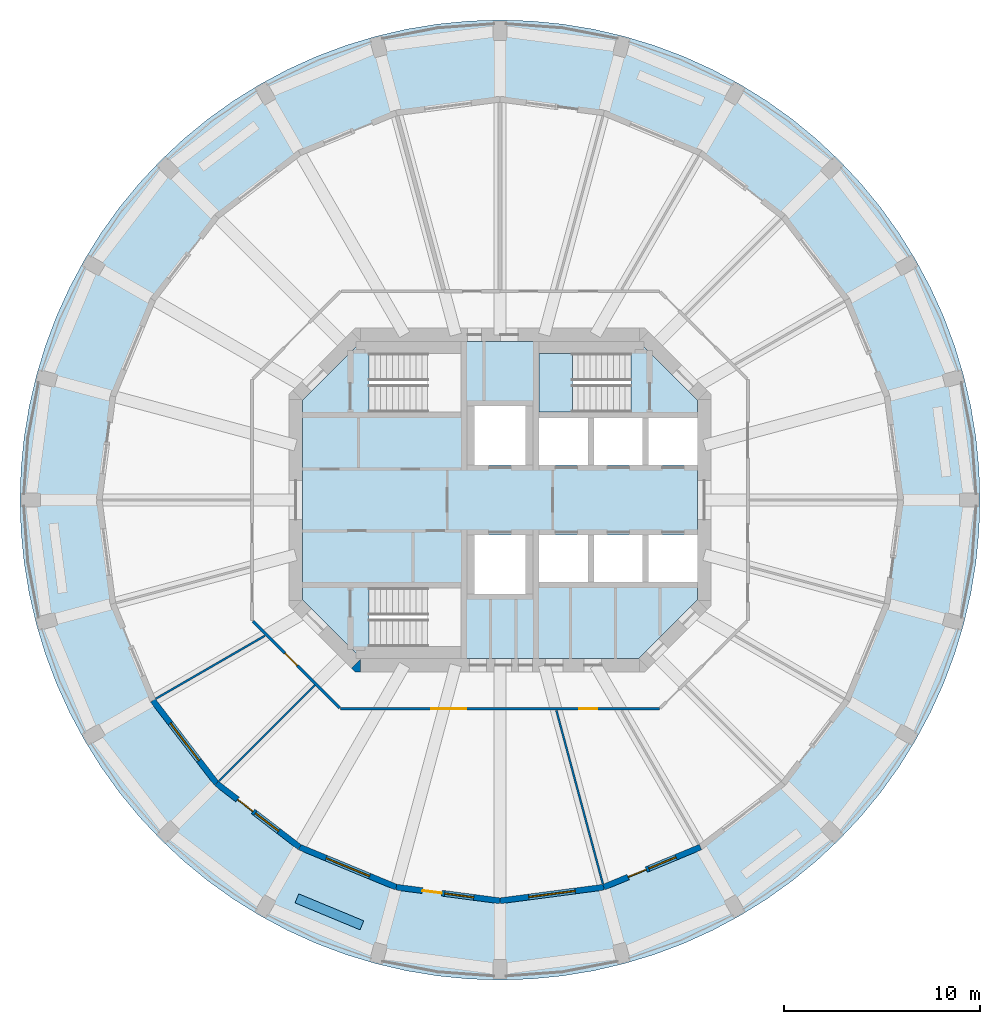
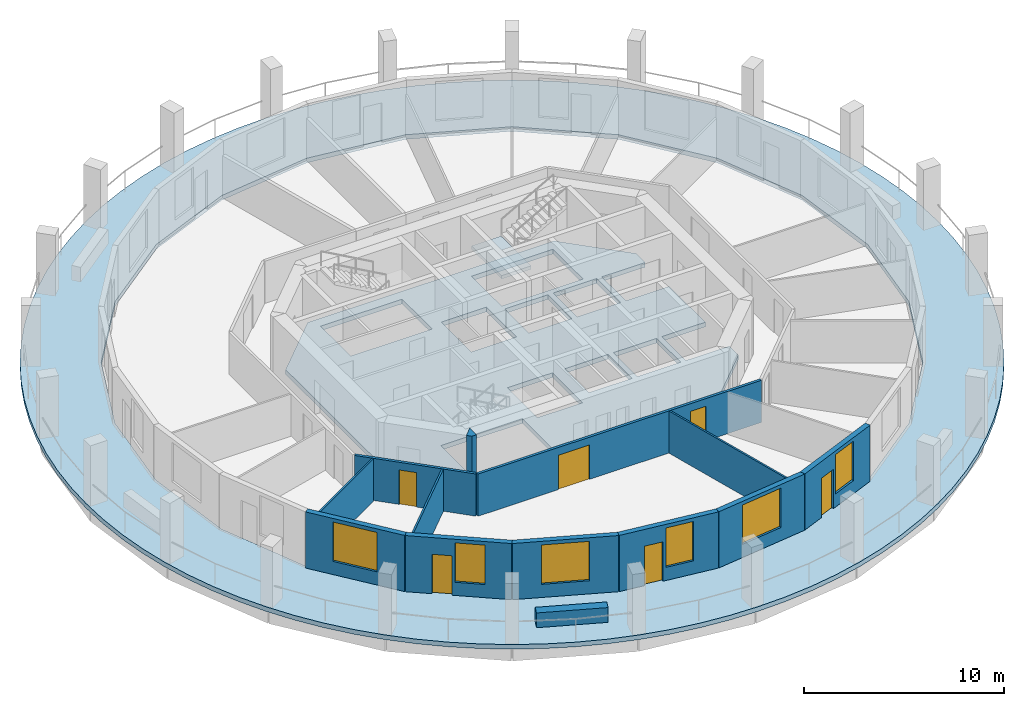
# One storey, part 2 of 9: 13 walls, 6 doors, 6 windows, 3 slabs, 12 openings, 1 element without a shape of its own.
"""IFC4 building model written with IfcOpenShell, lengths in metres."""

import ifcopenshell
import ifcopenshell.guid

model = None  # the IFC model being written
_history = None  # IfcOwnerHistory: only IFC2X3 demands one
_inside = {}  # id of a spatial element -> (the spatial element, [elements in it])
_under = {}  # id of a project, library or spatial element -> (it, [spatial elements below it])
_declared = {}  # id of a project -> (the project, [libraries it declares])
_typed = {}  # id of a type object -> (the type object, [elements of that type])
_made_of = {}  # id of a material, layer set ... -> (it, [elements and type objects made of it])


def new_model(schema):
    """Start an empty IFC model of exactly this schema.

    Asked for "IFC4X3", IfcOpenShell would pick the latest addendum, in which some entities
    have other attributes; the version numbers below select the first issue.
    IFC2X3 requires an IfcOwnerHistory on every rooted entity: one is made here for all.
    """
    global model, _history
    if schema == "IFC4X3":
        model = ifcopenshell.file(schema_version=(4, 3, 0, 0))
    else:
        model = ifcopenshell.file(schema=schema)
    _inside.clear()
    _under.clear()
    _declared.clear()
    _typed.clear()
    _made_of.clear()
    _history = None
    if model.schema == "IFC2X3":
        org = make("IfcOrganization", Name="unknown")
        user = make(
            "IfcPersonAndOrganization",
            ThePerson=make("IfcPerson", FamilyName="unknown"),
            TheOrganization=org,
        )
        app = make(
            "IfcApplication",
            ApplicationDeveloper=org,
            Version="unknown",
            ApplicationFullName="unknown",
            ApplicationIdentifier="unknown",
        )
        _history = make(
            "IfcOwnerHistory",
            OwningUser=user,
            OwningApplication=app,
            ChangeAction="ADDED",
            CreationDate=0,
        )
    return model


def make(cls, **values):
    """One entity of the class cls with the attributes given. An attribute that is None is left unset."""
    return model.create_entity(
        cls, **{name: value for name, value in values.items() if value is not None}
    )


def rooted(cls, **values):
    """An entity with a GlobalId (a new one), such as an element, a storey or a relation."""
    return make(cls, GlobalId=ifcopenshell.guid.new(), OwnerHistory=_history, **values)


def si_unit(unit_type, name, prefix=None):
    """IfcSIUnit, for example si_unit("LENGTHUNIT", "METRE", prefix="MILLI")."""
    return make("IfcSIUnit", UnitType=unit_type, Prefix=prefix, Name=name)


def assignment(units):
    """IfcUnitAssignment: the units of a project."""
    return None if units is None else make("IfcUnitAssignment", Units=units)


def point(xyz):
    """IfcCartesianPoint."""
    return None if xyz is None else make("IfcCartesianPoint", Coordinates=xyz)


def direction(xyz):
    """IfcDirection."""
    return None if xyz is None else make("IfcDirection", DirectionRatios=xyz)


def frame(location, z_axis=None, x_axis=None):
    """IfcAxis2Placement3D, a coordinate frame: its origin and axes. An axis left out is left unset."""
    return make(
        "IfcAxis2Placement3D",
        Location=point(location),
        Axis=direction(z_axis),
        RefDirection=direction(x_axis),
    )


def frame_2d(location, x_axis=None):
    """IfcAxis2Placement2D, a coordinate frame in the plane: its origin and x axis."""
    return make(
        "IfcAxis2Placement2D", Location=point(location), RefDirection=direction(x_axis)
    )


def origin():
    """The frame at (0, 0, 0) with its axes left unset."""
    return frame((0.0, 0.0, 0.0))


def place(relative_to, where):
    """IfcLocalPlacement: puts the frame where relative to a parent placement (None: the world)."""
    return make(
        "IfcLocalPlacement", PlacementRelTo=relative_to, RelativePlacement=where
    )


def context(
    kind, dimensions, precision=None, world=None, true_north=None, identifier=None
):
    """IfcGeometricRepresentationContext, for example the 3D "Model" context."""
    return make(
        "IfcGeometricRepresentationContext",
        ContextIdentifier=identifier,
        ContextType=kind,
        CoordinateSpaceDimension=dimensions,
        Precision=precision,
        WorldCoordinateSystem=world,
        TrueNorth=true_north,
    )


def subcontext(parent, identifier, kind, view, scale=None):
    """IfcGeometricRepresentationSubContext, for example "Body" below "Model"."""
    return make(
        "IfcGeometricRepresentationSubContext",
        ContextIdentifier=identifier,
        ContextType=kind,
        ParentContext=parent,
        TargetScale=scale,
        TargetView=view,
    )


def project(units=None, contexts=None):
    """IfcProject with its units and contexts."""
    return rooted(
        "IfcProject",
        Name="project",
        RepresentationContexts=contexts,
        UnitsInContext=assignment(units),
    )


def spatial(cls, under=None, at=None, **own):
    """A site, building, storey or space (cls), placed at a placement, below another one or the project."""
    s = rooted(cls, ObjectPlacement=at, **own)
    if under is not None:
        _under.setdefault(under.id(), (under, []))[1].append(s)
    return s


def polyline(points):
    """IfcPolyline through the points."""
    return make("IfcPolyline", Points=[point(p) for p in points])


def profile(cls, at=None, kind="AREA", **sizes):
    """A parametric profile (cls). Its sizes go by their IFC names, for example OverallWidth=200.0."""
    return make(cls, ProfileType=kind, Position=at, **sizes)


def rectangle(**sizes):
    """IfcRectangleProfileDef."""
    return profile("IfcRectangleProfileDef", **sizes)


def outline(outer, holes=None, kind="AREA"):
    """IfcArbitraryClosedProfileDef: a profile drawn as a closed curve; with holes, ...WithVoids."""
    if holes is None:
        return make("IfcArbitraryClosedProfileDef", ProfileType=kind, OuterCurve=outer)
    return make(
        "IfcArbitraryProfileDefWithVoids",
        ProfileType=kind,
        OuterCurve=outer,
        InnerCurves=holes,
    )


def extrude(swept, where, along, depth):
    """IfcExtrudedAreaSolid: the profile swept, set in the frame where, extruded along a direction by depth."""
    return make(
        "IfcExtrudedAreaSolid",
        SweptArea=swept,
        Position=where,
        ExtrudedDirection=direction(along),
        Depth=depth,
    )


def shape(context_of_items, identifier, shape_type, items):
    """IfcShapeRepresentation: the items that make up one representation, for example the "Body"."""
    return make(
        "IfcShapeRepresentation",
        ContextOfItems=context_of_items,
        RepresentationIdentifier=identifier,
        RepresentationType=shape_type,
        Items=items,
    )


def material(Name=None, Category=None):
    """IfcMaterial."""
    return make("IfcMaterial", Name=Name, Category=Category)


def layer(
    of_material, thickness, ventilated=None, Name=None, Category=None, Priority=None
):
    """IfcMaterialLayer: one layer of a wall or slab, of a material (None: an air gap)."""
    return make(
        "IfcMaterialLayer",
        Material=of_material,
        LayerThickness=thickness,
        IsVentilated=ventilated,
        Name=Name,
        Category=Category,
        Priority=Priority,
    )


def layer_set(layers, Name=None):
    """IfcMaterialLayerSet."""
    return make("IfcMaterialLayerSet", MaterialLayers=layers, LayerSetName=Name)


def made_of(thing, what):
    """Note that an element or type object is made of a material, layer set ...; save() writes the relation."""
    if what is not None:
        _made_of.setdefault(what.id(), (what, []))[1].append(thing)
    return thing


def type_object(cls, material=None, **own):
    """A type object (cls), such as IfcWallType, which elements share."""
    return made_of(rooted(cls, **own), material)


def element(
    cls,
    number,
    at=None,
    inside=None,
    cuts=None,
    type_object=None,
    material=None,
    context=None,
    identifier="Body",
    shape_type=None,
    held_by="IfcProductDefinitionShape",
    body=None,
    shapes=None,
    **own,
):
    """One element of the class cls, such as IfcWall. Its Tag is "e" and its number.

    at: its placement. inside: the storey or other place that contains it. cuts: it is an
    opening in that element (IfcRelVoidsElement). A single representation is given by context,
    identifier, shape_type and body (its items); several are given by shapes. held_by: the class
    of the entity that holds the representations. save() writes the other relations.
    """
    e = rooted(cls, Tag="e%d" % number, ObjectPlacement=at, **own)
    if body is not None:
        shapes = [shape(context, identifier, shape_type, body)]
    if shapes is not None:
        e.Representation = make(held_by, Representations=shapes)
    if inside is not None:
        _inside.setdefault(inside.id(), (inside, []))[1].append(e)
    if cuts is not None:
        rooted(
            "IfcRelVoidsElement", RelatingBuildingElement=cuts, RelatedOpeningElement=e
        )
    if type_object is not None:
        _typed.setdefault(type_object.id(), (type_object, []))[1].append(e)
    return made_of(e, material)


def fill(opening, filler):
    """IfcRelFillsElement: the door or window that sits in an opening."""
    return rooted(
        "IfcRelFillsElement",
        RelatingOpeningElement=opening,
        RelatedBuildingElement=filler,
    )


def aggregate(whole, parts):
    """IfcRelAggregates: a whole, such as a stair, and the parts it consists of."""
    return rooted("IfcRelAggregates", RelatingObject=whole, RelatedObjects=parts)


def save(model, path):
    """Write the relations noted so far, then the file.

    IfcRelAggregates (storeys below a building ...), IfcRelContainedInSpatialStructure (elements
    in a storey), IfcRelDefinesByType, IfcRelAssociatesMaterial and IfcRelDeclares: one each for
    every whole, place, type object, material and project.
    """
    for whole, parts in _under.values():
        aggregate(whole, parts)
    for where, things in _inside.values():
        rooted(
            "IfcRelContainedInSpatialStructure",
            RelatedElements=things,
            RelatingStructure=where,
        )
    for kind, things in _typed.values():
        rooted("IfcRelDefinesByType", RelatedObjects=things, RelatingType=kind)
    for what, things in _made_of.values():
        rooted("IfcRelAssociatesMaterial", RelatedObjects=things, RelatingMaterial=what)
    for by, libraries in _declared.values():
        rooted("IfcRelDeclares", RelatingContext=by, RelatedDefinitions=libraries)
    model.write(path)


model = new_model("IFC4")

# Units and contexts
model_context = context("Model", 3, precision=1e-05, world=origin(), true_north=direction((0.0, 1.0)))
body_context = subcontext(model_context, "Body", "Model", "MODEL_VIEW")
ifc_project = project(units=[si_unit("LENGTHUNIT", "METRE"), si_unit("AREAUNIT", "SQUARE_METRE"), si_unit("VOLUMEUNIT", "CUBIC_METRE"), si_unit("PLANEANGLEUNIT", "RADIAN"), si_unit("MASSUNIT", "GRAM", prefix="KILO")], contexts=[model_context])

# Site, building, storey
site_placement = place(None, origin())
site = spatial("IfcSite", under=ifc_project, at=site_placement, CompositionType="ELEMENT")
building_placement = place(site_placement, origin())
building = spatial("IfcBuilding", under=site, at=building_placement, Name="Torre Triforio", CompositionType="ELEMENT")
storey_placement = place(building_placement, frame((0.0, 0.0, 226.10009765625)))
storey = spatial("IfcBuildingStorey", under=building, at=storey_placement, Name="L51", CompositionType="ELEMENT", Elevation=226.10009765625)

# Slabs
ifc_material_1 = material(Name="Concrete C50", Category="concrete")
ifc_layer_1 = layer(ifc_material_1, 0.280029296875)
ifc_layer_set_1 = layer_set([ifc_layer_1], Name="Concrete C50")
slab_type_1 = type_object("IfcSlabType", Name="Core floor slab 280 mm C50 REI 120", PredefinedType="FLOOR", material=ifc_layer_set_1)
slab_1_placement = place(storey_placement, frame((0.0, 0.0, -0.280029296875)))
element("IfcSlab", 1, at=slab_1_placement, inside=storey, type_object=slab_type_1, Name="Core floor slab", PredefinedType="FLOOR", context=body_context, shape_type="SweptSolid", body=[
    extrude(outline(polyline([(10.10009765625, -5.10009765625), (7.10009765625, -8.10009765625), (-7.10009765625, -8.10009765625), (-10.10009765625, -5.10009765625), (-10.10009765625, 5.10009765625), (-7.10009765625, 8.10009765625), (7.10009765625, 8.10009765625), (10.10009765625, 5.10009765625), (10.10009765625, 4.199951171875), (7.60009765625, 4.199951171875), (7.60009765625, 1.800048828125), (10.10009765625, 1.800048828125), (10.10009765625, -1.800048828125), (7.60009765625, -1.800048828125), (7.60009765625, -4.199951171875), (10.10009765625, -4.199951171875), (10.10009765625, -5.10009765625)]), holes=[polyline([(-6.696044921875, -4.5), (-6.696044921875, -7.5), (-2.0, -7.5), (-2.0, -4.5), (-6.696044921875, -4.5)]), polyline([(-1.300048828125, -1.800048828125), (-1.300048828125, -4.800048828125), (1.300048828125, -4.800048828125), (1.300048828125, -1.800048828125), (-1.300048828125, -1.800048828125)]), polyline([(2.0, -1.800048828125), (2.0, -4.199951171875), (4.5, -4.199951171875), (4.5, -1.800048828125), (2.0, -1.800048828125)]), polyline([(4.5, 4.199951171875), (2.0, 4.199951171875), (2.0, 1.800048828125), (4.5, 1.800048828125), (4.5, 4.199951171875)]), polyline([(1.300048828125, 4.800048828125), (-1.300048828125, 4.800048828125), (-1.300048828125, 1.800048828125), (1.300048828125, 1.800048828125), (1.300048828125, 4.800048828125)]), polyline([(-6.696044921875, 7.5), (-6.696044921875, 4.5), (-2.0, 4.5), (-2.0, 7.5), (-6.696044921875, 7.5)]), polyline([(7.300048828125, -1.800048828125), (4.800048828125, -1.800048828125), (4.800048828125, -4.199951171875), (7.300048828125, -4.199951171875), (7.300048828125, -1.800048828125)]), polyline([(4.800048828125, 4.199951171875), (4.800048828125, 1.800048828125), (7.300048828125, 1.800048828125), (7.300048828125, 4.199951171875), (4.800048828125, 4.199951171875)]), polyline([(6.696044921875, 7.5), (2.0, 7.5), (2.0, 4.5), (6.696044921875, 4.5), (6.696044921875, 7.5)])]), origin(), (0.0, 0.0, 1.0), 0.280029296875),
])
ifc_material_2 = material(Name="Concrete C40", Category="concrete")
ifc_layer_2 = layer(ifc_material_2, 0.280029296875)
ifc_layer_set_2 = layer_set([ifc_layer_2], Name="Concrete C40")
slab_type_2 = type_object("IfcSlabType", Name="Loggia slab 280 C40", PredefinedType="FLOOR", material=ifc_layer_set_2)
slab_2_placement = place(storey_placement, frame((0.0, 0.0, -0.280029296875)))
element("IfcSlab", 2, at=slab_2_placement, inside=storey, type_object=slab_type_2, Name="SL.L51.LG", PredefinedType="FLOOR", context=body_context, shape_type="SweptSolid", body=[
    extrude(outline(polyline([(24.49755859375, -1.605712890625), (24.550048828125, 0.0), (24.49755859375, 1.605712890625), (24.340087890625, 3.204345703125), (24.078369140625, 4.78955078125), (23.71337890625, 6.35400390625), (23.2470703125, 7.891357421875), (22.68115234375, 9.394775390625), (22.018310546875, 10.858154296875), (21.260986328125, 12.27490234375), (20.41259765625, 13.63916015625), (19.476806640625, 14.945068359375), (18.457763671875, 16.18701171875), (17.359375, 17.359375), (16.18701171875, 18.457763671875), (14.945068359375, 19.476806640625), (13.63916015625, 20.41259765625), (12.27490234375, 21.260986328125), (10.858154296875, 22.018310546875), (9.394775390625, 22.68115234375), (7.891357421875, 23.2470703125), (6.35400390625, 23.71337890625), (4.78955078125, 24.078369140625), (3.204345703125, 24.340087890625), (1.605712890625, 24.49755859375), (0.0, 24.550048828125), (-1.605712890625, 24.49755859375), (-3.204345703125, 24.340087890625), (-4.78955078125, 24.078369140625), (-6.35400390625, 23.71337890625), (-7.891357421875, 23.2470703125), (-9.394775390625, 22.68115234375), (-10.858154296875, 22.018310546875), (-12.27490234375, 21.260986328125), (-13.63916015625, 20.41259765625), (-14.945068359375, 19.476806640625), (-16.18701171875, 18.457763671875), (-17.359375, 17.359375), (-18.457763671875, 16.18701171875), (-19.476806640625, 14.945068359375), (-20.41259765625, 13.63916015625), (-21.260986328125, 12.27490234375), (-22.018310546875, 10.858154296875), (-22.68115234375, 9.394775390625), (-23.2470703125, 7.891357421875), (-23.71337890625, 6.35400390625), (-24.078369140625, 4.78955078125), (-24.340087890625, 3.204345703125), (-24.49755859375, 1.605712890625), (-24.550048828125, 0.0), (-24.49755859375, -1.605712890625), (-24.340087890625, -3.204345703125), (-24.078369140625, -4.78955078125), (-23.71337890625, -6.35400390625), (-23.2470703125, -7.891357421875), (-22.68115234375, -9.394775390625), (-22.018310546875, -10.858154296875), (-21.260986328125, -12.27490234375), (-20.41259765625, -13.63916015625), (-19.476806640625, -14.945068359375), (-18.457763671875, -16.18701171875), (-17.359375, -17.359375), (-16.18701171875, -18.457763671875), (-14.945068359375, -19.476806640625), (-13.63916015625, -20.41259765625), (-12.27490234375, -21.260986328125), (-10.858154296875, -22.018310546875), (-9.394775390625, -22.68115234375), (-7.891357421875, -23.2470703125), (-6.35400390625, -23.71337890625), (-4.78955078125, -24.078369140625), (-3.204345703125, -24.340087890625), (-1.605712890625, -24.49755859375), (0.0, -24.550048828125), (1.605712890625, -24.49755859375), (3.204345703125, -24.340087890625), (4.78955078125, -24.078369140625), (6.35400390625, -23.71337890625), (7.891357421875, -23.2470703125), (9.394775390625, -22.68115234375), (10.858154296875, -22.018310546875), (12.27490234375, -21.260986328125), (13.63916015625, -20.41259765625), (14.945068359375, -19.476806640625), (16.18701171875, -18.457763671875), (17.359375, -17.359375), (18.457763671875, -16.18701171875), (19.476806640625, -14.945068359375), (20.41259765625, -13.63916015625), (21.260986328125, -12.27490234375), (22.018310546875, -10.858154296875), (22.68115234375, -9.394775390625), (23.2470703125, -7.891357421875), (23.71337890625, -6.35400390625), (24.078369140625, -4.78955078125), (24.340087890625, -3.204345703125), (24.49755859375, -1.605712890625)]), holes=[polyline([(19.801513671875, 5.305908203125), (20.5, 0.0), (19.801513671875, -5.305908203125), (17.75341796875, -10.25), (14.49560546875, -14.49560546875), (10.25, -17.75341796875), (5.305908203125, -19.801513671875), (0.0, -20.5), (-5.305908203125, -19.801513671875), (-10.25, -17.75341796875), (-14.49560546875, -14.49560546875), (-17.75341796875, -10.25), (-19.801513671875, -5.305908203125), (-20.5, 0.0), (-19.801513671875, 5.305908203125), (-17.75341796875, 10.25), (-14.49560546875, 14.49560546875), (-10.25, 17.75341796875), (-5.305908203125, 19.801513671875), (0.0, 20.5), (5.305908203125, 19.801513671875), (10.25, 17.75341796875), (14.49560546875, 14.49560546875), (17.75341796875, 10.25), (19.801513671875, 5.305908203125)])]), origin(), (0.0, 0.0, 1.0), 0.280029296875),
])

# Stair, slab
stair_type = type_object("IfcStairType", Name="STAIR HALF-TURN", PredefinedType="HALF_TURN_STAIR", material=ifc_material_2)
stair_placement = place(storey_placement, origin())
stair = element("IfcStair", 3, at=stair_placement, inside=storey, type_object=stair_type, Name="Exit stair 2", PredefinedType="HALF_TURN_STAIR")
ifc_layer_3 = layer(ifc_material_2, 0.199951171875)
ifc_layer_set_3 = layer_set([ifc_layer_3], Name="Concrete C40")
slab_type_3 = type_object("IfcSlabType", Name="STAIR LANDING 200", PredefinedType="LANDING", material=ifc_layer_set_3)
slab_3_placement = place(storey_placement, frame((0.0, 0.0, 1.64990234375)))
slab_3 = element("IfcSlab", 4, at=slab_3_placement, type_object=slab_type_3, Name="ST2 landing 1", PredefinedType="LANDING", context=body_context, shape_type="SweptSolid", body=[
    extrude(outline(polyline([(3.699951171875, 4.5), (3.699951171875, 7.5), (2.0, 7.5), (2.0, 4.5), (3.699951171875, 4.5)])), origin(), (0.0, 0.0, 1.0), 0.199951171875),
])
aggregate(stair, [slab_3])

# Wall
ifc_layer_4 = layer(ifc_material_1, 0.699951171875)
ifc_layer_set_4 = layer_set([ifc_layer_4], Name="Concrete C50")
wall_type_1 = type_object("IfcWallType", Name="Core wall 700 mm C50 EI 120", PredefinedType="SHEAR", material=ifc_layer_set_4)
wall_1_placement = place(storey_placement, frame((0.0, 0.0, -0.280029296875)))
element("IfcWall", 5, at=wall_1_placement, inside=storey, type_object=wall_type_1, Name="Core wall", PredefinedType="SHEAR", context=body_context, shape_type="SweptSolid", body=[
    extrude(outline(polyline([(-7.389892578125, -8.800048828125), (-7.594970703125, -8.594970703125), (-7.594970703125, -8.594970703125), (-7.594970703125, -8.594970703125), (-7.1298828125, -8.1298828125), (-7.1298828125, -8.800048828125), (-7.1298828125, -8.800048828125), (-7.389892578125, -8.800048828125)])), origin(), (0.0, 0.0, 1.0), 3.699951171875),
])

# Wall, openings, doors
ifc_material_3 = material(Name="Plasterboard on metal studs")
ifc_layer_5 = layer(ifc_material_3, 0.14990234375)
ifc_layer_set_5 = layer_set([ifc_layer_5], Name="Plasterboard on metal studs")
wall_type_2 = type_object("IfcWallType", Name="Corridor and tenancy wall 150 mm EI 60", PredefinedType="PARTITIONING", material=ifc_layer_set_5)
wall_2_placement = place(storey_placement, frame((8.16650390625, -10.675048828125, 0.0), z_axis=(0.0, 0.0, 1.0), x_axis=(-1.0, 0.0, 0.0)))
wall_2 = element("IfcWall", 6, at=wall_2_placement, inside=storey, type_object=wall_type_2, Name="Partition 2", PredefinedType="PARTITIONING", context=body_context, shape_type="SweptSolid", body=[
    extrude(rectangle(XDim=16.3330078125, YDim=0.14990234375, at=frame_2d((8.16650390625, 0.0))), origin(), (0.0, 0.0, 1.0), 2.56982421875),
])
opening_1_placement = place(wall_2_placement, frame((9.893798828125, 0.0, 0.0)))
opening_1 = element("IfcOpeningElement", 7, at=opening_1_placement, cuts=wall_2, Name="Opening O7-05", PredefinedType="OPENING", context=body_context, shape_type="SweptSolid", body=[
    extrude(rectangle(XDim=1.800048828125, YDim=2.10009765625, at=frame_2d((0.89990234375, 1.050048828125))), frame((0.0, 0.0849609375, 0.0), z_axis=(0.0, -1.0, 0.0), x_axis=(1.0, 0.0, 0.0)), (0.0, 0.0, 1.0), 0.169921875),
])
opening_2_placement = place(wall_2_placement, frame((3.200927734375, 0.0, 0.0)))
opening_2 = element("IfcOpeningElement", 8, at=opening_2_placement, cuts=wall_2, Name="Opening O7-06", PredefinedType="OPENING", context=body_context, shape_type="SweptSolid", body=[
    extrude(rectangle(XDim=0.89990234375, YDim=2.10009765625, at=frame_2d((0.449951171875, 1.050048828125))), frame((0.0, 0.0849609375, 0.0), z_axis=(0.0, -1.0, 0.0), x_axis=(1.0, 0.0, 0.0)), (0.0, 0.0, 1.0), 0.169921875),
])
ifc_material_4 = material(Name="Timber", Category="wood")
door_type_1 = type_object("IfcDoorType", Name="Door 1800 x 2100 double leaf EI 30", OperationType="DOUBLE_DOOR_SINGLE_SWING", PredefinedType="DOOR", material=ifc_material_4)
door_1_placement = place(opening_1_placement, origin())
door_1 = element("IfcDoor", 9, at=door_1_placement, inside=storey, type_object=door_type_1, Name="Door O7-05", OperationType="DOUBLE_DOOR_SINGLE_SWING", OverallHeight=2.10009765625, OverallWidth=1.800048828125, PredefinedType="DOOR", context=body_context, shape_type="SweptSolid", body=[
    extrude(rectangle(XDim=1.800048828125, YDim=2.10009765625, at=frame_2d((0.89990234375, 1.050048828125))), frame((0.0, 0.02490234375, 0.0), z_axis=(0.0, -1.0, 0.0), x_axis=(1.0, 0.0, 0.0)), (0.0, 0.0, 1.0), 0.050048828125),
])
fill(opening_1, door_1)
door_type_2 = type_object("IfcDoorType", Name="Door 900 x 2100 single leaf EI 30", OperationType="NOTDEFINED", PredefinedType="DOOR", material=ifc_material_4)
door_2_placement = place(opening_2_placement, origin())
door_2 = element("IfcDoor", 10, at=door_2_placement, inside=storey, type_object=door_type_2, Name="Door O7-06", OperationType="SINGLE_SWING_LEFT", OverallHeight=2.10009765625, OverallWidth=0.89990234375, PredefinedType="DOOR", context=body_context, shape_type="SweptSolid", body=[
    extrude(rectangle(XDim=0.89990234375, YDim=2.10009765625, at=frame_2d((0.449951171875, 1.050048828125))), frame((0.0, 0.02490234375, 0.0), z_axis=(0.0, -1.0, 0.0), x_axis=(1.0, 0.0, 0.0)), (0.0, 0.0, 1.0), 0.050048828125),
])
fill(opening_2, door_2)

# Wall, opening, door
wall_3_placement = place(storey_placement, frame((-8.20361328125, -10.637939453125, 0.0), z_axis=(0.0, 0.0, 1.0), x_axis=(-0.707106781187, 0.707106781187, 0.0)))
wall_3 = element("IfcWall", 11, at=wall_3_placement, inside=storey, type_object=wall_type_2, Name="Partition 3", PredefinedType="PARTITIONING", context=body_context, shape_type="SweptSolid", body=[
    extrude(rectangle(XDim=6.27099609375, YDim=0.14990234375, at=frame_2d((3.135498046875, 0.0))), origin(), (0.0, 0.0, 1.0), 2.56982421875),
])
opening_3_placement = place(wall_3_placement, frame((3.056884765625, 0.0, 0.0)))
opening_3 = element("IfcOpeningElement", 12, at=opening_3_placement, cuts=wall_3, Name="Opening O7-04", PredefinedType="OPENING", context=body_context, shape_type="SweptSolid", body=[
    extrude(rectangle(XDim=0.89990234375, YDim=2.10009765625, at=frame_2d((0.449951171875, 1.050048828125))), frame((0.0, 0.0849609375, 0.0), z_axis=(0.0, -1.0, 0.0), x_axis=(1.0, 0.0, 0.0)), (0.0, 0.0, 1.0), 0.169921875),
])
door_3_placement = place(opening_3_placement, origin())
door_3 = element("IfcDoor", 13, at=door_3_placement, inside=storey, type_object=door_type_2, Name="Door O7-04", OperationType="SINGLE_SWING_LEFT", OverallHeight=2.10009765625, OverallWidth=0.89990234375, PredefinedType="DOOR", context=body_context, shape_type="SweptSolid", body=[
    extrude(rectangle(XDim=0.89990234375, YDim=2.10009765625, at=frame_2d((0.449951171875, 1.050048828125))), frame((0.0, 0.02490234375, 0.0), z_axis=(0.0, -1.0, 0.0), x_axis=(1.0, 0.0, 0.0)), (0.0, 0.0, 1.0), 0.050048828125),
])
fill(opening_3, door_3)

# Walls
ifc_layer_6 = layer(ifc_material_3, 0.10009765625)
ifc_layer_set_6 = layer_set([ifc_layer_6], Name="Plasterboard on metal studs")
wall_type_3 = type_object("IfcWallType", Name="Partition 100 mm board on metal studs", PredefinedType="PARTITIONING", material=ifc_layer_set_6)
wall_4_placement = place(storey_placement, frame((-12.025146484375, -6.94287109375, 0.0), z_axis=(0.0, 0.0, 1.0), x_axis=(-0.866026773083, -0.499997628298, 0.0)))
element("IfcWall", 14, at=wall_4_placement, inside=storey, type_object=wall_type_3, Name="Partition 20", PredefinedType="PARTITIONING", context=body_context, shape_type="SweptSolid", body=[
    extrude(rectangle(XDim=6.451171875, YDim=0.10009765625, at=frame_2d((3.2255859375, 0.0))), origin(), (0.0, 0.0, 1.0), 2.56982421875),
])
wall_5_placement = place(storey_placement, frame((-9.473876953125, -9.473876953125, 0.0), z_axis=(0.0, 0.0, 1.0), x_axis=(-0.707106781187, -0.707106781187, 0.0)))
element("IfcWall", 15, at=wall_5_placement, inside=storey, type_object=wall_type_3, Name="Partition 21", PredefinedType="PARTITIONING", context=body_context, shape_type="SweptSolid", body=[
    extrude(rectangle(XDim=6.9384765625, YDim=0.10009765625, at=frame_2d((3.46923828125, 0.0))), origin(), (0.0, 0.0, 1.0), 2.56982421875),
])
wall_6_placement = place(storey_placement, frame((2.88427734375, -10.764404296875, 0.0), z_axis=(0.0, 0.0, 1.0), x_axis=(0.258811310764, -0.965927898666, 0.0)))
element("IfcWall", 16, at=wall_6_placement, inside=storey, type_object=wall_type_3, Name="Partition 22", PredefinedType="PARTITIONING", context=body_context, shape_type="SweptSolid", body=[
    extrude(rectangle(XDim=9.192626953125, YDim=0.10009765625, at=frame_2d((4.59619140625, 0.0))), origin(), (0.0, 0.0, 1.0), 2.56982421875),
])
ifc_material_5 = material(Name="Limestone cladding", Category="masonry")
ifc_layer_7 = layer(ifc_material_5, 0.10009765625)
ifc_layer_8 = layer(ifc_material_2, 0.39990234375)
ifc_layer_set_7 = layer_set([ifc_layer_7, ifc_layer_8], Name="Limestone cladding / Concrete C40")
wall_type_4 = type_object("IfcWallType", Name="Planter wall 500", PredefinedType="PARAPET", material=ifc_layer_set_7)
wall_7_placement = place(storey_placement, frame((-10.38818359375, -20.37548828125, 0.0), z_axis=(0.0, 0.0, 1.0), x_axis=(0.923851510231, -0.38275107713, 0.0)))
element("IfcWall", 17, at=wall_7_placement, inside=storey, type_object=wall_type_4, Name="Planter L51 bay 17", PredefinedType="PARAPET", context=body_context, shape_type="SweptSolid", body=[
    extrude(rectangle(XDim=3.60009765625, YDim=0.5, at=frame_2d((1.800048828125, 0.0))), origin(), (0.0, 0.0, 1.0), 0.89990234375),
])

# Wall, opening, window
ifc_layer_9 = layer(ifc_material_5, 0.10009765625)
ifc_layer_10 = layer(ifc_material_2, 0.199951171875)
ifc_layer_set_8 = layer_set([ifc_layer_9, ifc_layer_10], Name="Limestone cladding / Concrete C40")
wall_type_5 = type_object("IfcWallType", Name="Stone-faced composite wall 300", PredefinedType="STANDARD", material=ifc_layer_set_8)
wall_8_placement = place(storey_placement, frame((-17.75341796875, -10.25, 0.0), z_axis=(0.0, 0.0, 1.0), x_axis=(0.60876670321, -0.793349293227, 0.0)))
wall_8 = element("IfcWall", 18, at=wall_8_placement, inside=storey, type_object=wall_type_5, Name="External wall L51 bay 15", PredefinedType="STANDARD", context=body_context, shape_type="SweptSolid", body=[
    extrude(rectangle(XDim=5.3515625, YDim=0.300048828125, at=frame_2d((2.67578125, 0.0))), origin(), (0.0, 0.0, 1.0), 3.419921875),
])
opening_4_placement = place(wall_8_placement, frame((1.475830078125, 0.0, 0.800048828125)))
opening_4 = element("IfcOpeningElement", 19, at=opening_4_placement, cuts=wall_8, Name="Opening O7-W15", PredefinedType="OPENING", context=body_context, shape_type="SweptSolid", body=[
    extrude(rectangle(XDim=2.39990234375, YDim=2.39990234375, at=frame_2d((1.199951171875, 1.199951171875))), frame((0.0, 0.159912109375, 0.0), z_axis=(0.0, -1.0, 0.0), x_axis=(1.0, 0.0, 0.0)), (0.0, 0.0, 1.0), 0.320068359375),
])
ifc_material_6 = material(Name="Aluminium frame with clear double glazing", Category="aluminium")
window_type_1 = type_object("IfcWindowType", Name="Punched window 2400 x 2400", PartitioningType="DOUBLE_PANEL_VERTICAL", PredefinedType="WINDOW", material=ifc_material_6)
window_1_placement = place(opening_4_placement, origin())
window_1 = element("IfcWindow", 20, at=window_1_placement, inside=storey, type_object=window_type_1, Name="Window EWN4 L51 bay 15", OverallHeight=2.39990234375, OverallWidth=2.39990234375, PartitioningType="SINGLE_PANEL", PredefinedType="WINDOW", context=body_context, shape_type="SweptSolid", body=[
    extrude(rectangle(XDim=2.39990234375, YDim=2.39990234375, at=frame_2d((1.199951171875, 1.199951171875))), frame((0.0, 0.030029296875, 0.0), z_axis=(0.0, -1.0, 0.0), x_axis=(1.0, 0.0, 0.0)), (0.0, 0.0, 1.0), 0.06005859375),
])
fill(opening_4, window_1)

# Wall, openings, door, window
wall_9_placement = place(storey_placement, frame((-14.49560546875, -14.49560546875, 0.0), z_axis=(0.0, 0.0, 1.0), x_axis=(0.793349293227, -0.60876670321, 0.0)))
wall_9 = element("IfcWall", 21, at=wall_9_placement, inside=storey, type_object=wall_type_5, Name="External wall L51 bay 16", PredefinedType="STANDARD", context=body_context, shape_type="SweptSolid", body=[
    extrude(rectangle(XDim=5.3515625, YDim=0.300048828125, at=frame_2d((2.67578125, 0.0))), origin(), (0.0, 0.0, 1.0), 3.419921875),
])
opening_5_placement = place(wall_9_placement, frame((1.350830078125, 0.0, 0.0)))
opening_5 = element("IfcOpeningElement", 22, at=opening_5_placement, cuts=wall_9, Name="Opening O7-D16", PredefinedType="OPENING", context=body_context, shape_type="SweptSolid", body=[
    extrude(rectangle(XDim=1.0, YDim=2.39990234375, at=frame_2d((0.5, 1.199951171875))), frame((0.0, 0.159912109375, 0.0), z_axis=(0.0, -1.0, 0.0), x_axis=(1.0, 0.0, 0.0)), (0.0, 0.0, 1.0), 0.320068359375),
])
opening_6_placement = place(wall_9_placement, frame((2.500732421875, 0.0, 0.800048828125)))
opening_6 = element("IfcOpeningElement", 23, at=opening_6_placement, cuts=wall_9, Name="Opening O7-W16A", PredefinedType="OPENING", context=body_context, shape_type="SweptSolid", body=[
    extrude(rectangle(XDim=1.5, YDim=2.39990234375, at=frame_2d((0.75, 1.199951171875))), frame((0.0, 0.159912109375, 0.0), z_axis=(0.0, -1.0, 0.0), x_axis=(1.0, 0.0, 0.0)), (0.0, 0.0, 1.0), 0.320068359375),
])
door_type_3 = type_object("IfcDoorType", Name="Loggia door 1000 x 2400", OperationType="NOTDEFINED", PredefinedType="DOOR", material=ifc_material_6)
door_4_placement = place(opening_5_placement, origin())
door_4 = element("IfcDoor", 24, at=door_4_placement, inside=storey, type_object=door_type_3, Name="Loggia door L51 bay 16", OperationType="SINGLE_SWING_LEFT", OverallHeight=2.39990234375, OverallWidth=1.0, PredefinedType="DOOR", context=body_context, shape_type="SweptSolid", body=[
    extrude(rectangle(XDim=1.0, YDim=2.39990234375, at=frame_2d((0.5, 1.199951171875))), frame((0.0, 0.02490234375, 0.0), z_axis=(0.0, -1.0, 0.0), x_axis=(1.0, 0.0, 0.0)), (0.0, 0.0, 1.0), 0.050048828125),
])
fill(opening_5, door_4)
window_type_2 = type_object("IfcWindowType", Name="Side window 1500 x 2400", PartitioningType="SINGLE_PANEL", PredefinedType="WINDOW", material=ifc_material_6)
window_2_placement = place(opening_6_placement, origin())
window_2 = element("IfcWindow", 25, at=window_2_placement, inside=storey, type_object=window_type_2, Name="Side window EWN14 L51 bay 16", OverallHeight=2.39990234375, OverallWidth=1.5, PartitioningType="SINGLE_PANEL", PredefinedType="WINDOW", context=body_context, shape_type="SweptSolid", body=[
    extrude(rectangle(XDim=1.5, YDim=2.39990234375, at=frame_2d((0.75, 1.199951171875))), frame((0.0, 0.030029296875, 0.0), z_axis=(0.0, -1.0, 0.0), x_axis=(1.0, 0.0, 0.0)), (0.0, 0.0, 1.0), 0.06005859375),
])
fill(opening_6, window_2)

# Wall, opening, window
wall_10_placement = place(storey_placement, frame((-10.25, -17.75341796875, 0.0), z_axis=(0.0, 0.0, 1.0), x_axis=(0.923867255172, -0.382713071139, 0.0)))
wall_10 = element("IfcWall", 26, at=wall_10_placement, inside=storey, type_object=wall_type_5, Name="External wall L51 bay 17", PredefinedType="STANDARD", context=body_context, shape_type="SweptSolid", body=[
    extrude(rectangle(XDim=5.3515625, YDim=0.300048828125, at=frame_2d((2.67578125, 0.0))), origin(), (0.0, 0.0, 1.0), 3.419921875),
])
opening_7_placement = place(wall_10_placement, frame((1.475830078125, 0.0, 0.800048828125)))
opening_7 = element("IfcOpeningElement", 27, at=opening_7_placement, cuts=wall_10, Name="Opening O7-W17", PredefinedType="OPENING", context=body_context, shape_type="SweptSolid", body=[
    extrude(rectangle(XDim=2.39990234375, YDim=2.39990234375, at=frame_2d((1.199951171875, 1.199951171875))), frame((0.0, 0.159912109375, 0.0), z_axis=(0.0, -1.0, 0.0), x_axis=(1.0, 0.0, 0.0)), (0.0, 0.0, 1.0), 0.320068359375),
])
window_3_placement = place(opening_7_placement, origin())
window_3 = element("IfcWindow", 28, at=window_3_placement, inside=storey, type_object=window_type_1, Name="Window EWN4 L51 bay 17", OverallHeight=2.39990234375, OverallWidth=2.39990234375, PartitioningType="SINGLE_PANEL", PredefinedType="WINDOW", context=body_context, shape_type="SweptSolid", body=[
    extrude(rectangle(XDim=2.39990234375, YDim=2.39990234375, at=frame_2d((1.199951171875, 1.199951171875))), frame((0.0, 0.030029296875, 0.0), z_axis=(0.0, -1.0, 0.0), x_axis=(1.0, 0.0, 0.0)), (0.0, 0.0, 1.0), 0.06005859375),
])
fill(opening_7, window_3)

# Wall, openings, door, window
wall_11_placement = place(storey_placement, frame((-5.305908203125, -19.801513671875, 0.0), z_axis=(0.0, 0.0, 1.0), x_axis=(0.991446064069, -0.130517056518, 0.0)))
wall_11 = element("IfcWall", 29, at=wall_11_placement, inside=storey, type_object=wall_type_5, Name="External wall L51 bay 18", PredefinedType="STANDARD", context=body_context, shape_type="SweptSolid", body=[
    extrude(rectangle(XDim=5.351806640625, YDim=0.300048828125, at=frame_2d((2.67578125, 0.0))), origin(), (0.0, 0.0, 1.0), 3.419921875),
])
opening_8_placement = place(wall_11_placement, frame((1.350830078125, 0.0, 0.0)))
opening_8 = element("IfcOpeningElement", 30, at=opening_8_placement, cuts=wall_11, Name="Opening O7-D18", PredefinedType="OPENING", context=body_context, shape_type="SweptSolid", body=[
    extrude(rectangle(XDim=1.0, YDim=2.39990234375, at=frame_2d((0.5, 1.199951171875))), frame((0.0, 0.159912109375, 0.0), z_axis=(0.0, -1.0, 0.0), x_axis=(1.0, 0.0, 0.0)), (0.0, 0.0, 1.0), 0.320068359375),
])
opening_9_placement = place(wall_11_placement, frame((2.500732421875, 0.0, 0.800048828125)))
opening_9 = element("IfcOpeningElement", 31, at=opening_9_placement, cuts=wall_11, Name="Opening O7-W18A", PredefinedType="OPENING", context=body_context, shape_type="SweptSolid", body=[
    extrude(rectangle(XDim=1.5, YDim=2.39990234375, at=frame_2d((0.75, 1.199951171875))), frame((0.0, 0.159912109375, 0.0), z_axis=(0.0, -1.0, 0.0), x_axis=(1.0, 0.0, 0.0)), (0.0, 0.0, 1.0), 0.320068359375),
])
door_5_placement = place(opening_8_placement, origin())
door_5 = element("IfcDoor", 32, at=door_5_placement, inside=storey, type_object=door_type_3, Name="Loggia door L51 bay 18", OperationType="SINGLE_SWING_LEFT", OverallHeight=2.39990234375, OverallWidth=1.0, PredefinedType="DOOR", context=body_context, shape_type="SweptSolid", body=[
    extrude(rectangle(XDim=1.0, YDim=2.39990234375, at=frame_2d((0.5, 1.199951171875))), frame((0.0, 0.02490234375, 0.0), z_axis=(0.0, -1.0, 0.0), x_axis=(1.0, 0.0, 0.0)), (0.0, 0.0, 1.0), 0.050048828125),
])
fill(opening_8, door_5)
window_4_placement = place(opening_9_placement, origin())
window_4 = element("IfcWindow", 33, at=window_4_placement, inside=storey, type_object=window_type_2, Name="Side window EWN14 L51 bay 18", OverallHeight=2.39990234375, OverallWidth=1.5, PartitioningType="SINGLE_PANEL", PredefinedType="WINDOW", context=body_context, shape_type="SweptSolid", body=[
    extrude(rectangle(XDim=1.5, YDim=2.39990234375, at=frame_2d((0.75, 1.199951171875))), frame((0.0, 0.030029296875, 0.0), z_axis=(0.0, -1.0, 0.0), x_axis=(1.0, 0.0, 0.0)), (0.0, 0.0, 1.0), 0.06005859375),
])
fill(opening_9, window_4)

# Wall, opening, window
wall_12_placement = place(storey_placement, frame((0.0, -20.5, 0.0), z_axis=(0.0, 0.0, 1.0), x_axis=(0.991446064069, 0.130517056518, 0.0)))
wall_12 = element("IfcWall", 34, at=wall_12_placement, inside=storey, type_object=wall_type_5, Name="External wall L51 bay 19", PredefinedType="STANDARD", context=body_context, shape_type="SweptSolid", body=[
    extrude(rectangle(XDim=5.351806640625, YDim=0.300048828125, at=frame_2d((2.67578125, 0.0))), origin(), (0.0, 0.0, 1.0), 3.419921875),
])
opening_10_placement = place(wall_12_placement, frame((1.475830078125, 0.0, 0.800048828125)))
opening_10 = element("IfcOpeningElement", 35, at=opening_10_placement, cuts=wall_12, Name="Opening O7-W19", PredefinedType="OPENING", context=body_context, shape_type="SweptSolid", body=[
    extrude(rectangle(XDim=2.39990234375, YDim=2.39990234375, at=frame_2d((1.199951171875, 1.199951171875))), frame((0.0, 0.159912109375, 0.0), z_axis=(0.0, -1.0, 0.0), x_axis=(1.0, 0.0, 0.0)), (0.0, 0.0, 1.0), 0.320068359375),
])
window_5_placement = place(opening_10_placement, origin())
window_5 = element("IfcWindow", 36, at=window_5_placement, inside=storey, type_object=window_type_1, Name="Window EWN4 L51 bay 19", OverallHeight=2.39990234375, OverallWidth=2.39990234375, PartitioningType="SINGLE_PANEL", PredefinedType="WINDOW", context=body_context, shape_type="SweptSolid", body=[
    extrude(rectangle(XDim=2.39990234375, YDim=2.39990234375, at=frame_2d((1.199951171875, 1.199951171875))), frame((0.0, 0.030029296875, 0.0), z_axis=(0.0, -1.0, 0.0), x_axis=(1.0, 0.0, 0.0)), (0.0, 0.0, 1.0), 0.06005859375),
])
fill(opening_10, window_5)

# Wall, openings, door, window
wall_13_placement = place(storey_placement, frame((5.305908203125, -19.801513671875, 0.0), z_axis=(0.0, 0.0, 1.0), x_axis=(0.923867255172, 0.382713071139, 0.0)))
wall_13 = element("IfcWall", 37, at=wall_13_placement, inside=storey, type_object=wall_type_5, Name="External wall L51 bay 20", PredefinedType="STANDARD", context=body_context, shape_type="SweptSolid", body=[
    extrude(rectangle(XDim=5.3515625, YDim=0.300048828125, at=frame_2d((2.67578125, 0.0))), origin(), (0.0, 0.0, 1.0), 3.419921875),
])
opening_11_placement = place(wall_13_placement, frame((1.350830078125, 0.0, 0.0)))
opening_11 = element("IfcOpeningElement", 38, at=opening_11_placement, cuts=wall_13, Name="Opening O7-D20", PredefinedType="OPENING", context=body_context, shape_type="SweptSolid", body=[
    extrude(rectangle(XDim=1.0, YDim=2.39990234375, at=frame_2d((0.5, 1.199951171875))), frame((0.0, 0.159912109375, 0.0), z_axis=(0.0, -1.0, 0.0), x_axis=(1.0, 0.0, 0.0)), (0.0, 0.0, 1.0), 0.320068359375),
])
opening_12_placement = place(wall_13_placement, frame((2.500732421875, 0.0, 0.800048828125)))
opening_12 = element("IfcOpeningElement", 39, at=opening_12_placement, cuts=wall_13, Name="Opening O7-W20A", PredefinedType="OPENING", context=body_context, shape_type="SweptSolid", body=[
    extrude(rectangle(XDim=1.5, YDim=2.39990234375, at=frame_2d((0.75, 1.199951171875))), frame((0.0, 0.159912109375, 0.0), z_axis=(0.0, -1.0, 0.0), x_axis=(1.0, 0.0, 0.0)), (0.0, 0.0, 1.0), 0.320068359375),
])
door_6_placement = place(opening_11_placement, origin())
door_6 = element("IfcDoor", 40, at=door_6_placement, inside=storey, type_object=door_type_3, Name="Loggia door L51 bay 20", OperationType="SINGLE_SWING_LEFT", OverallHeight=2.39990234375, OverallWidth=1.0, PredefinedType="DOOR", context=body_context, shape_type="SweptSolid", body=[
    extrude(rectangle(XDim=1.0, YDim=2.39990234375, at=frame_2d((0.5, 1.199951171875))), frame((0.0, 0.02490234375, 0.0), z_axis=(0.0, -1.0, 0.0), x_axis=(1.0, 0.0, 0.0)), (0.0, 0.0, 1.0), 0.050048828125),
])
fill(opening_11, door_6)
window_6_placement = place(opening_12_placement, origin())
window_6 = element("IfcWindow", 41, at=window_6_placement, inside=storey, type_object=window_type_2, Name="Side window EWN14 L51 bay 20", OverallHeight=2.39990234375, OverallWidth=1.5, PartitioningType="SINGLE_PANEL", PredefinedType="WINDOW", context=body_context, shape_type="SweptSolid", body=[
    extrude(rectangle(XDim=1.5, YDim=2.39990234375, at=frame_2d((0.75, 1.199951171875))), frame((0.0, 0.030029296875, 0.0), z_axis=(0.0, -1.0, 0.0), x_axis=(1.0, 0.0, 0.0)), (0.0, 0.0, 1.0), 0.06005859375),
])
fill(opening_12, window_6)

save(model, "model.ifc")
